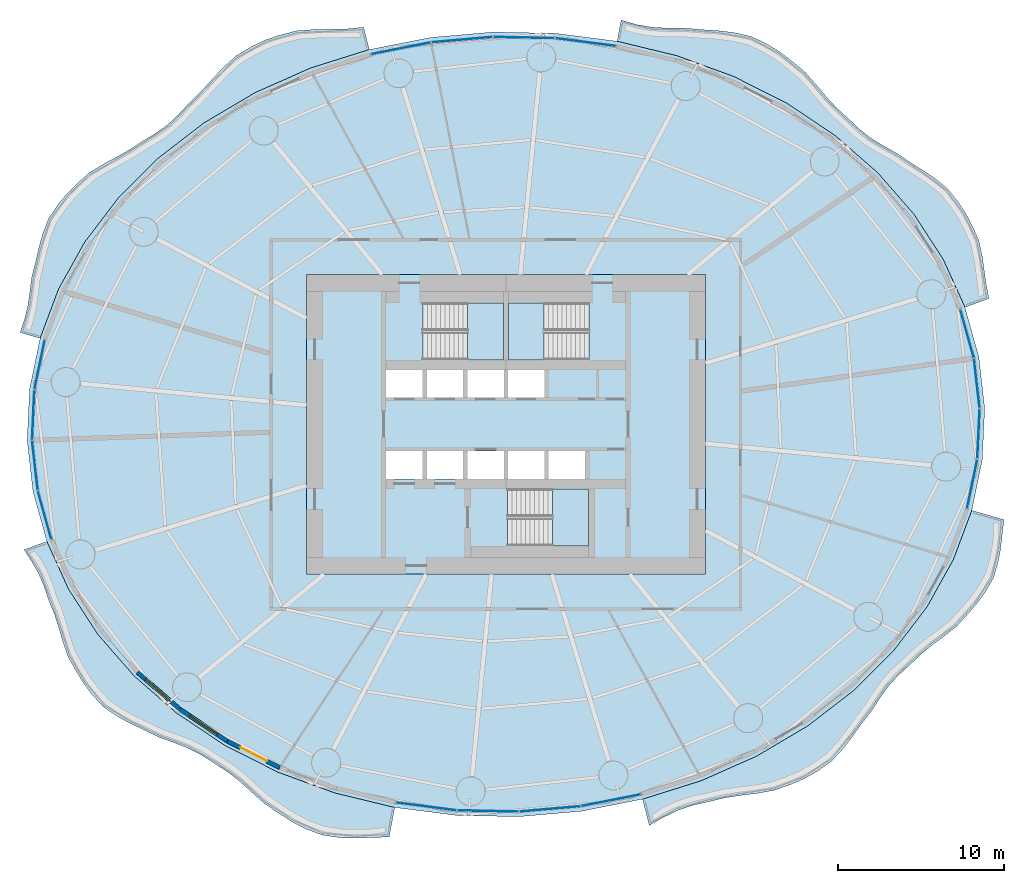
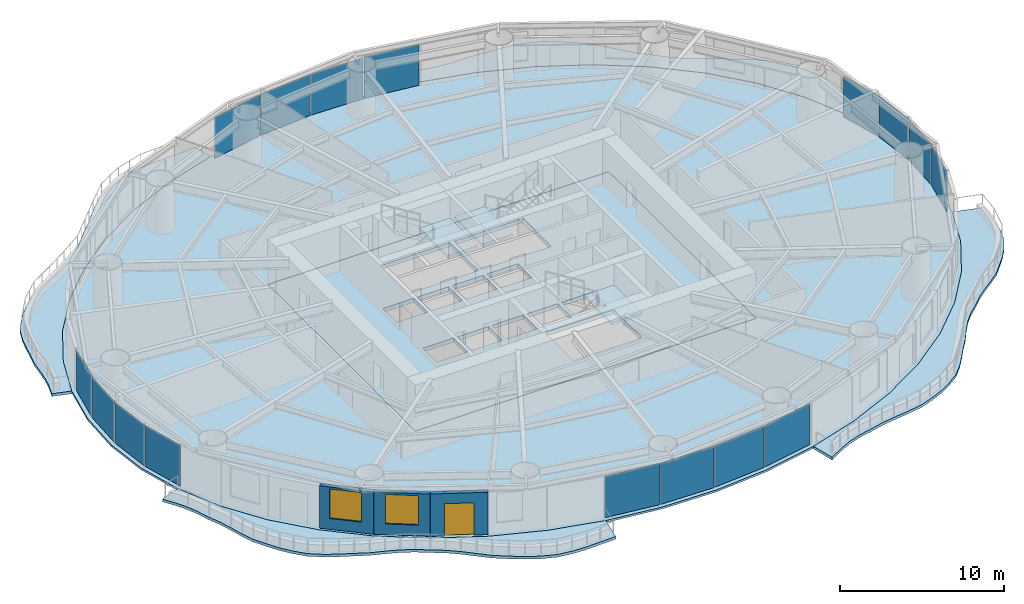
# One storey, part 7 of 16: 16 plates, 9 slabs, 3 walls, 2 windows, 1 door, 3 openings, 19 elements without a shape of their own.
"""IFC4 building model written with IfcOpenShell, lengths in metres."""

import ifcopenshell
import ifcopenshell.guid

model = None  # the IFC model being written
_history = None  # IfcOwnerHistory: only IFC2X3 demands one
_inside = {}  # id of a spatial element -> (the spatial element, [elements in it])
_under = {}  # id of a project, library or spatial element -> (it, [spatial elements below it])
_declared = {}  # id of a project -> (the project, [libraries it declares])
_typed = {}  # id of a type object -> (the type object, [elements of that type])
_made_of = {}  # id of a material, layer set ... -> (it, [elements and type objects made of it])


def new_model(schema):
    """Start an empty IFC model of exactly this schema.

    Asked for "IFC4X3", IfcOpenShell would pick the latest addendum, in which some entities
    have other attributes; the version numbers below select the first issue.
    IFC2X3 requires an IfcOwnerHistory on every rooted entity: one is made here for all.
    """
    global model, _history
    if schema == "IFC4X3":
        model = ifcopenshell.file(schema_version=(4, 3, 0, 0))
    else:
        model = ifcopenshell.file(schema=schema)
    _inside.clear()
    _under.clear()
    _declared.clear()
    _typed.clear()
    _made_of.clear()
    _history = None
    if model.schema == "IFC2X3":
        org = make("IfcOrganization", Name="unknown")
        user = make(
            "IfcPersonAndOrganization",
            ThePerson=make("IfcPerson", FamilyName="unknown"),
            TheOrganization=org,
        )
        app = make(
            "IfcApplication",
            ApplicationDeveloper=org,
            Version="unknown",
            ApplicationFullName="unknown",
            ApplicationIdentifier="unknown",
        )
        _history = make(
            "IfcOwnerHistory",
            OwningUser=user,
            OwningApplication=app,
            ChangeAction="ADDED",
            CreationDate=0,
        )
    return model


def make(cls, **values):
    """One entity of the class cls with the attributes given. An attribute that is None is left unset."""
    return model.create_entity(
        cls, **{name: value for name, value in values.items() if value is not None}
    )


def rooted(cls, **values):
    """An entity with a GlobalId (a new one), such as an element, a storey or a relation."""
    return make(cls, GlobalId=ifcopenshell.guid.new(), OwnerHistory=_history, **values)


def si_unit(unit_type, name, prefix=None):
    """IfcSIUnit, for example si_unit("LENGTHUNIT", "METRE", prefix="MILLI")."""
    return make("IfcSIUnit", UnitType=unit_type, Prefix=prefix, Name=name)


def assignment(units):
    """IfcUnitAssignment: the units of a project."""
    return None if units is None else make("IfcUnitAssignment", Units=units)


def point(xyz):
    """IfcCartesianPoint."""
    return None if xyz is None else make("IfcCartesianPoint", Coordinates=xyz)


def direction(xyz):
    """IfcDirection."""
    return None if xyz is None else make("IfcDirection", DirectionRatios=xyz)


def frame(location, z_axis=None, x_axis=None):
    """IfcAxis2Placement3D, a coordinate frame: its origin and axes. An axis left out is left unset."""
    return make(
        "IfcAxis2Placement3D",
        Location=point(location),
        Axis=direction(z_axis),
        RefDirection=direction(x_axis),
    )


def frame_2d(location, x_axis=None):
    """IfcAxis2Placement2D, a coordinate frame in the plane: its origin and x axis."""
    return make(
        "IfcAxis2Placement2D", Location=point(location), RefDirection=direction(x_axis)
    )


def origin():
    """The frame at (0, 0, 0) with its axes left unset."""
    return frame((0.0, 0.0, 0.0))


def origin_2d():
    """The frame at (0, 0) in the plane with its x axis left unset."""
    return frame_2d((0.0, 0.0))


def place(relative_to, where):
    """IfcLocalPlacement: puts the frame where relative to a parent placement (None: the world)."""
    return make(
        "IfcLocalPlacement", PlacementRelTo=relative_to, RelativePlacement=where
    )


def context(
    kind, dimensions, precision=None, world=None, true_north=None, identifier=None
):
    """IfcGeometricRepresentationContext, for example the 3D "Model" context."""
    return make(
        "IfcGeometricRepresentationContext",
        ContextIdentifier=identifier,
        ContextType=kind,
        CoordinateSpaceDimension=dimensions,
        Precision=precision,
        WorldCoordinateSystem=world,
        TrueNorth=true_north,
    )


def subcontext(parent, identifier, kind, view, scale=None):
    """IfcGeometricRepresentationSubContext, for example "Body" below "Model"."""
    return make(
        "IfcGeometricRepresentationSubContext",
        ContextIdentifier=identifier,
        ContextType=kind,
        ParentContext=parent,
        TargetScale=scale,
        TargetView=view,
    )


def project(units=None, contexts=None):
    """IfcProject with its units and contexts."""
    return rooted(
        "IfcProject",
        Name="project",
        RepresentationContexts=contexts,
        UnitsInContext=assignment(units),
    )


def spatial(cls, under=None, at=None, **own):
    """A site, building, storey or space (cls), placed at a placement, below another one or the project."""
    s = rooted(cls, ObjectPlacement=at, **own)
    if under is not None:
        _under.setdefault(under.id(), (under, []))[1].append(s)
    return s


def polyline(points):
    """IfcPolyline through the points."""
    return make("IfcPolyline", Points=[point(p) for p in points])


def profile(cls, at=None, kind="AREA", **sizes):
    """A parametric profile (cls). Its sizes go by their IFC names, for example OverallWidth=200.0."""
    return make(cls, ProfileType=kind, Position=at, **sizes)


def rectangle(**sizes):
    """IfcRectangleProfileDef."""
    return profile("IfcRectangleProfileDef", **sizes)


def outline(outer, holes=None, kind="AREA"):
    """IfcArbitraryClosedProfileDef: a profile drawn as a closed curve; with holes, ...WithVoids."""
    if holes is None:
        return make("IfcArbitraryClosedProfileDef", ProfileType=kind, OuterCurve=outer)
    return make(
        "IfcArbitraryProfileDefWithVoids",
        ProfileType=kind,
        OuterCurve=outer,
        InnerCurves=holes,
    )


def extrude(swept, where, along, depth):
    """IfcExtrudedAreaSolid: the profile swept, set in the frame where, extruded along a direction by depth."""
    return make(
        "IfcExtrudedAreaSolid",
        SweptArea=swept,
        Position=where,
        ExtrudedDirection=direction(along),
        Depth=depth,
    )


def shape(context_of_items, identifier, shape_type, items):
    """IfcShapeRepresentation: the items that make up one representation, for example the "Body"."""
    return make(
        "IfcShapeRepresentation",
        ContextOfItems=context_of_items,
        RepresentationIdentifier=identifier,
        RepresentationType=shape_type,
        Items=items,
    )


def material(Name=None, Category=None):
    """IfcMaterial."""
    return make("IfcMaterial", Name=Name, Category=Category)


def layer(
    of_material, thickness, ventilated=None, Name=None, Category=None, Priority=None
):
    """IfcMaterialLayer: one layer of a wall or slab, of a material (None: an air gap)."""
    return make(
        "IfcMaterialLayer",
        Material=of_material,
        LayerThickness=thickness,
        IsVentilated=ventilated,
        Name=Name,
        Category=Category,
        Priority=Priority,
    )


def layer_set(layers, Name=None):
    """IfcMaterialLayerSet."""
    return make("IfcMaterialLayerSet", MaterialLayers=layers, LayerSetName=Name)


def made_of(thing, what):
    """Note that an element or type object is made of a material, layer set ...; save() writes the relation."""
    if what is not None:
        _made_of.setdefault(what.id(), (what, []))[1].append(thing)
    return thing


def type_object(cls, material=None, **own):
    """A type object (cls), such as IfcWallType, which elements share."""
    return made_of(rooted(cls, **own), material)


def element(
    cls,
    number,
    at=None,
    inside=None,
    cuts=None,
    type_object=None,
    material=None,
    context=None,
    identifier="Body",
    shape_type=None,
    held_by="IfcProductDefinitionShape",
    body=None,
    shapes=None,
    **own,
):
    """One element of the class cls, such as IfcWall. Its Tag is "e" and its number.

    at: its placement. inside: the storey or other place that contains it. cuts: it is an
    opening in that element (IfcRelVoidsElement). A single representation is given by context,
    identifier, shape_type and body (its items); several are given by shapes. held_by: the class
    of the entity that holds the representations. save() writes the other relations.
    """
    e = rooted(cls, Tag="e%d" % number, ObjectPlacement=at, **own)
    if body is not None:
        shapes = [shape(context, identifier, shape_type, body)]
    if shapes is not None:
        e.Representation = make(held_by, Representations=shapes)
    if inside is not None:
        _inside.setdefault(inside.id(), (inside, []))[1].append(e)
    if cuts is not None:
        rooted(
            "IfcRelVoidsElement", RelatingBuildingElement=cuts, RelatedOpeningElement=e
        )
    if type_object is not None:
        _typed.setdefault(type_object.id(), (type_object, []))[1].append(e)
    return made_of(e, material)


def fill(opening, filler):
    """IfcRelFillsElement: the door or window that sits in an opening."""
    return rooted(
        "IfcRelFillsElement",
        RelatingOpeningElement=opening,
        RelatedBuildingElement=filler,
    )


def aggregate(whole, parts):
    """IfcRelAggregates: a whole, such as a stair, and the parts it consists of."""
    return rooted("IfcRelAggregates", RelatingObject=whole, RelatedObjects=parts)


def save(model, path):
    """Write the relations noted so far, then the file.

    IfcRelAggregates (storeys below a building ...), IfcRelContainedInSpatialStructure (elements
    in a storey), IfcRelDefinesByType, IfcRelAssociatesMaterial and IfcRelDeclares: one each for
    every whole, place, type object, material and project.
    """
    for whole, parts in _under.values():
        aggregate(whole, parts)
    for where, things in _inside.values():
        rooted(
            "IfcRelContainedInSpatialStructure",
            RelatedElements=things,
            RelatingStructure=where,
        )
    for kind, things in _typed.values():
        rooted("IfcRelDefinesByType", RelatedObjects=things, RelatingType=kind)
    for what, things in _made_of.values():
        rooted("IfcRelAssociatesMaterial", RelatedObjects=things, RelatingMaterial=what)
    for by, libraries in _declared.values():
        rooted("IfcRelDeclares", RelatingContext=by, RelatedDefinitions=libraries)
    model.write(path)


model = new_model("IFC4")

# Units and contexts
model_context = context("Model", 3, precision=1e-05, world=origin(), true_north=direction((0.0, 1.0)))
body_context = subcontext(model_context, "Body", "Model", "MODEL_VIEW")
ifc_project = project(units=[si_unit("LENGTHUNIT", "METRE"), si_unit("AREAUNIT", "SQUARE_METRE"), si_unit("VOLUMEUNIT", "CUBIC_METRE"), si_unit("PLANEANGLEUNIT", "RADIAN"), si_unit("MASSUNIT", "GRAM", prefix="KILO")], contexts=[model_context])

# Site, building, storey
site_placement = place(None, origin())
site = spatial("IfcSite", under=ifc_project, at=site_placement, CompositionType="ELEMENT")
building_placement = place(site_placement, origin())
building = spatial("IfcBuilding", under=site, at=building_placement, Name="Vermilion Reach Broadcast Tower", CompositionType="ELEMENT")
storey_placement = place(building_placement, frame((0.0, 0.0, 43.39990234375)))
storey = spatial("IfcBuildingStorey", under=building, at=storey_placement, Name="L07", CompositionType="ELEMENT", Elevation=43.39990234375)

# Slabs
ifc_material_1 = material(Name="Concrete C40/50", Category="concrete")
ifc_layer_1 = layer(ifc_material_1, 0.199951171875)
ifc_layer_set_1 = layer_set([ifc_layer_1], Name="Balcony slab 200")
slab_type_1 = type_object("IfcSlabType", Name="Balcony slab 200", PredefinedType="FLOOR", material=ifc_layer_set_1)
placement_1 = place(storey_placement, frame((0.0, 0.0, -0.199951171875)))
element("IfcSlab", 1, at=placement_1, inside=storey, type_object=slab_type_1, Name="Balcony slab L07 group 1", PredefinedType="FLOOR", context=body_context, shape_type="SweptSolid", body=[
    extrude(outline(polyline([(21.59619140625, 7.0361328125), (20.2880859375, 9.9169921875), (18.5302734375, 12.6279296875), (16.3525390625, 15.123046875), (13.79248046875, 17.359375), (10.893798828125, 19.298583984375), (7.7060546875, 20.907470703125), (4.28369140625, 22.15869140625), (0.685546875, 23.031005859375), (0.921630859375, 24.307373046875), (1.879638671875, 24.0283203125), (2.794921875, 23.87548828125), (3.734375, 23.8212890625), (4.7861328125, 23.81689453125), (5.82763671875, 23.728271484375), (6.7744140625, 23.665283203125), (7.7041015625, 23.55517578125), (8.749267578125, 23.314208984375), (9.69580078125, 22.868408203125), (10.458740234375, 22.398681640625), (11.179443359375, 21.845703125), (11.988037109375, 21.17236328125), (12.6767578125, 20.3955078125), (13.259033203125, 19.697998046875), (13.865478515625, 19.036376953125), (14.58203125, 18.3896484375), (15.2548828125, 17.74169921875), (15.927490234375, 17.219970703125), (16.658447265625, 16.764892578125), (17.51904296875, 16.288818359375), (18.3193359375, 15.740478515625), (19.05224609375, 15.281494140625), (19.76708984375, 14.806396484375), (20.560546875, 14.159912109375), (21.178466796875, 13.382568359375), (21.627685546875, 12.7109375), (22.00537109375, 11.9931640625), (22.417236328125, 11.082275390625), (22.634033203125, 10.113525390625), (22.74755859375, 9.29638671875), (22.857421875, 8.4775390625), (23.038330078125, 7.560791015625), (21.59619140625, 7.0361328125)])), origin(), (0.0, 0.0, 1.0), 0.199951171875),
])
element("IfcSlab", 2, at=placement_1, inside=storey, type_object=slab_type_1, Name="Balcony slab L07 group 2", PredefinedType="FLOOR", context=body_context, shape_type="SweptSolid", body=[
    extrude(outline(polyline([(-14.212890625, 22.531494140625), (-17.74462890625, 21.42041015625), (-21.075439453125, 19.942626953125), (-24.1484375, 18.123779296875), (-26.91064453125, 15.994873046875), (-29.315185546875, 13.592041015625), (-31.32080078125, 10.956787109375), (-32.893310546875, 8.134033203125), (-34.00537109375, 5.17236328125), (-35.21142578125, 5.521484375), (-34.922119140625, 6.361328125), (-34.741455078125, 7.138427734375), (-34.62353515625, 7.93896484375), (-34.50341796875, 8.8798828125), (-34.259521484375, 9.81982421875), (-34.0732421875, 10.640869140625), (-33.854736328125, 11.443603515625), (-33.492431640625, 12.377685546875), (-32.92724609375, 13.2197265625), (-32.40185546875, 13.8603515625), (-31.8076171875, 14.44873046875), (-31.06201171875, 15.118408203125), (-30.179443359375, 15.6591796875), (-29.39599609375, 16.077392578125), (-28.625244140625, 16.508544921875), (-27.82763671875, 17.03857421875), (-26.9970703125, 17.534912109375), (-26.2958984375, 18.0537109375), (-25.655517578125, 18.651123046875), (-24.99560546875, 19.3740234375), (-24.269775390625, 20.08154296875), (-23.638916015625, 20.768310546875), (-23.0029296875, 21.446533203125), (-22.217041015625, 22.15673828125), (-21.3046875, 22.705810546875), (-20.4833984375, 23.100830078125), (-19.617919921875, 23.396240234375), (-18.59033203125, 23.65869140625), (-17.50390625, 23.739013671875), (-16.536865234375, 23.74951171875), (-15.57421875, 23.774169921875), (-14.55615234375, 23.876220703125), (-14.212890625, 22.531494140625)])), origin(), (0.0, 0.0, 1.0), 0.199951171875),
])
element("IfcSlab", 3, at=placement_1, inside=storey, type_object=slab_type_1, Name="Balcony slab L07 group 3", PredefinedType="FLOOR", context=body_context, shape_type="SweptSolid", body=[
    extrude(outline(polyline([(-33.59619140625, -7.0361328125), (-32.2880859375, -9.9169921875), (-30.5302734375, -12.6279296875), (-28.3525390625, -15.123046875), (-25.79248046875, -17.359375), (-22.893798828125, -19.298583984375), (-19.7060546875, -20.907470703125), (-16.28369140625, -22.15869140625), (-12.685546875, -23.031005859375), (-13.01416015625, -24.80712890625), (-14.076171875, -24.838623046875), (-15.03662109375, -24.87255859375), (-15.982421875, -24.8447265625), (-17.050537109375, -24.689697265625), (-18.04296875, -24.3173828125), (-18.85888671875, -23.896240234375), (-19.64453125, -23.392333984375), (-20.523681640625, -22.7939453125), (-21.305908203125, -22.095947265625), (-21.9921875, -21.474609375), (-22.70654296875, -20.908447265625), (-23.52978515625, -20.3876953125), (-24.322998046875, -19.86669921875), (-25.1064453125, -19.469970703125), (-25.935791015625, -19.1416015625), (-26.892578125, -18.794921875), (-27.789794921875, -18.35400390625), (-28.58935546875, -17.9775390625), (-29.357177734375, -17.56494140625), (-30.20947265625, -16.979248046875), (-30.892333984375, -16.24072265625), (-31.390869140625, -15.576904296875), (-31.8271484375, -14.85888671875), (-32.3203125, -13.978759765625), (-32.646728515625, -13.03759765625), (-32.88134765625, -12.22705078125), (-33.13623046875, -11.4296875), (-33.489501953125, -10.574462890625), (-33.771240234375, -9.7216796875), (-34.083984375, -8.9951171875), (-34.471435546875, -8.30224609375), (-34.973388671875, -7.537109375), (-33.59619140625, -7.0361328125)])), origin(), (0.0, 0.0, 1.0), 0.199951171875),
])
element("IfcSlab", 4, at=placement_1, inside=storey, type_object=slab_type_1, Name="Balcony slab L07 group 4", PredefinedType="FLOOR", context=body_context, shape_type="SweptSolid", body=[
    extrude(outline(polyline([(2.212890625, -22.531494140625), (5.74462890625, -21.42041015625), (9.075439453125, -19.942626953125), (12.1484375, -18.123779296875), (14.91064453125, -15.994873046875), (17.315185546875, -13.592041015625), (19.32080078125, -10.956787109375), (20.893310546875, -8.134033203125), (22.00537109375, -5.17236328125), (23.9404296875, -5.732666015625), (23.8251953125, -6.700439453125), (23.73291015625, -7.5107421875), (23.58642578125, -8.300537109375), (23.301025390625, -9.249267578125), (22.796875, -10.119140625), (22.31591796875, -10.77587890625), (21.77294921875, -11.398193359375), (21.112060546875, -12.12890625), (20.319091796875, -12.757080078125), (19.625, -13.269287109375), (18.962646484375, -13.805419921875), (18.299072265625, -14.451904296875), (17.59765625, -15.0771484375), (17.026123046875, -15.707275390625), (16.517822265625, -16.40087890625), (15.986083984375, -17.21875), (15.367431640625, -18.015869140625), (14.837890625, -18.7568359375), (14.291259765625, -19.47607421875), (13.583740234375, -20.241943359375), (12.726318359375, -20.85302734375), (11.95068359375, -21.295166015625), (11.123291015625, -21.649658203125), (10.136474609375, -22.0009765625), (9.07470703125, -22.187255859375), (8.130126953125, -22.304443359375), (7.196533203125, -22.446533203125), (6.22021484375, -22.679443359375), (5.23828125, -22.895263671875), (4.3623046875, -23.195068359375), (3.518798828125, -23.597900390625), (2.615966796875, -24.110595703125), (2.212890625, -22.531494140625)])), origin(), (0.0, 0.0, 1.0), 0.199951171875),
])
ifc_material_2 = material(Name="Concrete C40", Category="concrete")
ifc_layer_2 = layer(ifc_material_2, 0.300048828125)
ifc_layer_set_2 = layer_set([ifc_layer_2], Name="Core floor slab 300 mm Concrete C40")
slab_type_2 = type_object("IfcSlabType", Name="Core floor slab 300 mm Concrete C40", PredefinedType="FLOOR", material=ifc_layer_set_2)
slab_5_placement = place(storey_placement, frame((0.0, 0.0, -0.2998046875)))
element("IfcSlab", 5, at=slab_5_placement, inside=storey, type_object=slab_type_2, Name="L07 core floor", PredefinedType="FLOOR", context=body_context, shape_type="SweptSolid", body=[
    extrude(outline(polyline([(-18.0, -9.0), (6.0, -9.0), (6.0, 9.0), (-18.0, 9.0), (-18.0, -9.0)]), holes=[polyline([(-13.199951171875, 1.60009765625), (-11.00830078125, 1.60009765625), (-11.00830078125, 3.280029296875), (-13.199951171875, 3.280029296875), (-13.199951171875, 1.60009765625)]), polyline([(-10.75830078125, 1.60009765625), (-8.566650390625, 1.60009765625), (-8.566650390625, 3.280029296875), (-10.75830078125, 3.280029296875), (-10.75830078125, 1.60009765625)]), polyline([(-8.316650390625, 1.60009765625), (-6.125, 1.60009765625), (-6.125, 3.280029296875), (-8.316650390625, 3.280029296875), (-8.316650390625, 1.60009765625)]), polyline([(-5.875, 1.60009765625), (-3.683349609375, 1.60009765625), (-3.683349609375, 3.280029296875), (-5.875, 3.280029296875), (-5.875, 1.60009765625)]), polyline([(-13.199951171875, -3.280029296875), (-11.00830078125, -3.280029296875), (-11.00830078125, -1.60009765625), (-13.199951171875, -1.60009765625), (-13.199951171875, -3.280029296875)]), polyline([(-10.75830078125, -3.280029296875), (-8.566650390625, -3.280029296875), (-8.566650390625, -1.60009765625), (-10.75830078125, -1.60009765625), (-10.75830078125, -3.280029296875)]), polyline([(-8.316650390625, -3.280029296875), (-6.125, -3.280029296875), (-6.125, -1.60009765625), (-8.316650390625, -1.60009765625), (-8.316650390625, -3.280029296875)]), polyline([(-5.875, -3.280029296875), (-3.683349609375, -3.280029296875), (-3.683349609375, -1.60009765625), (-5.875, -1.60009765625), (-5.875, -3.280029296875)]), polyline([(-3.433349609375, -3.280029296875), (-1.24169921875, -3.280029296875), (-1.24169921875, -1.60009765625), (-3.433349609375, -1.60009765625), (-3.433349609375, -3.280029296875)]), polyline([(-10.999267578125, 3.8798828125), (-6.14990234375, 3.8798828125), (-6.14990234375, 7.300048828125), (-10.999267578125, 7.300048828125), (-10.999267578125, 3.8798828125)]), polyline([(-1.000732421875, 7.300048828125), (-5.85009765625, 7.300048828125), (-5.85009765625, 3.8798828125), (-1.000732421875, 3.8798828125), (-1.000732421875, 7.300048828125)]), polyline([(-5.8994140625, -7.300048828125), (-1.050048828125, -7.300048828125), (-1.050048828125, -3.8798828125), (-5.8994140625, -3.8798828125), (-5.8994140625, -7.300048828125)])]), origin(), (0.0, 0.0, 1.0), 0.2998046875),
])

# Stair, slab
ifc_material_3 = material(Name="Concrete C40", Category="concrete")
stair_type = type_object("IfcStairType", Name="Exit stair RC 22 risers 168 mm", PredefinedType="HALF_TURN_STAIR", material=ifc_material_3)
placement_2 = place(storey_placement, origin())
stair_1 = element("IfcStair", 6, at=placement_2, inside=storey, type_object=stair_type, Name="L07 Exit stair ST1", PredefinedType="HALF_TURN_STAIR")
ifc_material_4 = material(Name="Concrete C40", Category="concrete")
ifc_layer_3 = layer(ifc_material_4, 0.199951171875)
ifc_layer_set_3 = layer_set([ifc_layer_3], Name="Exit stair landing Concrete C40")
slab_type_3 = type_object("IfcSlabType", Name="Exit stair landing Concrete C40", PredefinedType="LANDING", material=ifc_layer_set_3)
placement_3 = place(storey_placement, frame((0.0, 0.0, 1.650146484375)))
slab_6 = element("IfcSlab", 7, at=placement_3, type_object=slab_type_3, Name="ST1 landing 1", PredefinedType="LANDING", context=body_context, shape_type="SweptSolid", body=[
    extrude(outline(polyline([(-8.300048828125, 3.8798828125), (-6.14990234375, 3.8798828125), (-6.14990234375, 7.300048828125), (-8.300048828125, 7.300048828125), (-8.300048828125, 3.8798828125)])), origin(), (0.0, 0.0, 1.0), 0.199951171875),
])
aggregate(stair_1, [slab_6])

stair_2 = element("IfcStair", 8, at=placement_2, inside=storey, type_object=stair_type, Name="L07 Exit stair ST2", PredefinedType="HALF_TURN_STAIR")
slab_7 = element("IfcSlab", 9, at=placement_3, type_object=slab_type_3, Name="ST2 landing 1", PredefinedType="LANDING", context=body_context, shape_type="SweptSolid", body=[
    extrude(outline(polyline([(-3.699951171875, 7.300048828125), (-5.85009765625, 7.300048828125), (-5.85009765625, 3.8798828125), (-3.699951171875, 3.8798828125), (-3.699951171875, 7.300048828125)])), origin(), (0.0, 0.0, 1.0), 0.199951171875),
])
aggregate(stair_2, [slab_7])

stair_3 = element("IfcStair", 10, at=placement_2, inside=storey, type_object=stair_type, Name="L07 Exit stair ST3", PredefinedType="HALF_TURN_STAIR")
slab_8 = element("IfcSlab", 11, at=placement_3, type_object=slab_type_3, Name="ST3 landing 1", PredefinedType="LANDING", context=body_context, shape_type="SweptSolid", body=[
    extrude(outline(polyline([(-3.199951171875, -7.300048828125), (-1.050048828125, -7.300048828125), (-1.050048828125, -3.8798828125), (-3.199951171875, -3.8798828125), (-3.199951171875, -7.300048828125)])), origin(), (0.0, 0.0, 1.0), 0.199951171875),
])
aggregate(stair_3, [slab_8])

# Slab
ifc_material_5 = material(Name="Concrete C40", Category="concrete")
ifc_layer_4 = layer(ifc_material_5, 0.14990234375)
ifc_layer_set_4 = layer_set([ifc_layer_4], Name="Floor slab Concrete C40 composite 150")
slab_type_4 = type_object("IfcSlabType", Name="Floor slab Concrete C40 composite 150", PredefinedType="FLOOR", material=ifc_layer_set_4)
slab_9_placement = place(storey_placement, frame((0.0, 0.0, -0.14990234375)))
element("IfcSlab", 12, at=slab_9_placement, inside=storey, type_object=slab_type_4, Name="Floor slab L07", PredefinedType="FLOOR", context=body_context, shape_type="SweptSolid", body=[
    extrude(outline(polyline([(22.781494140625, 0.96484375), (22.43212890625, 4.034912109375), (21.59619140625, 7.0361328125), (20.2880859375, 9.9169921875), (18.5302734375, 12.6279296875), (16.3525390625, 15.123046875), (13.79248046875, 17.359375), (10.893798828125, 19.298583984375), (7.7060546875, 20.907470703125), (4.28369140625, 22.15869140625), (0.685546875, 23.031005859375), (-3.027099609375, 23.509033203125), (-6.79052734375, 23.5849609375), (-10.54052734375, 23.257080078125), (-14.212890625, 22.531494140625), (-17.74462890625, 21.42041015625), (-21.075439453125, 19.942626953125), (-24.1484375, 18.123779296875), (-26.91064453125, 15.994873046875), (-29.315185546875, 13.592041015625), (-31.32080078125, 10.956787109375), (-32.893310546875, 8.134033203125), (-34.00537109375, 5.17236328125), (-34.638427734375, 2.121826171875), (-34.781494140625, -0.96484375), (-34.43212890625, -4.034912109375), (-33.59619140625, -7.0361328125), (-32.2880859375, -9.9169921875), (-30.5302734375, -12.6279296875), (-28.3525390625, -15.123046875), (-25.79248046875, -17.359375), (-22.893798828125, -19.298583984375), (-19.7060546875, -20.907470703125), (-16.28369140625, -22.15869140625), (-12.685546875, -23.031005859375), (-8.972900390625, -23.509033203125), (-5.20947265625, -23.5849609375), (-1.45947265625, -23.257080078125), (2.212890625, -22.531494140625), (5.74462890625, -21.42041015625), (9.075439453125, -19.942626953125), (12.1484375, -18.123779296875), (14.91064453125, -15.994873046875), (17.315185546875, -13.592041015625), (19.32080078125, -10.956787109375), (20.893310546875, -8.134033203125), (22.00537109375, -5.17236328125), (22.638427734375, -2.121826171875), (22.781494140625, 0.96484375)]), holes=[polyline([(-18.0, -9.0), (6.0, -9.0), (6.0, 9.0), (-18.0, 9.0), (-18.0, -9.0)])]), origin(), (0.0, 0.0, 1.0), 0.14990234375),
])

# Curtain wall, plate
ifc_material_6 = material(Name="Low-e laminated clear glass in aluminium frame", Category="aluminium")
curtain_wall_type = type_object("IfcCurtainWallType", Name="Slot curtain wall", PredefinedType="NOTDEFINED", material=ifc_material_6)
curtain_wall_1 = element("IfcCurtainWall", 13, at=placement_2, inside=storey, type_object=curtain_wall_type, Name="Slot curtain wall L07 46", PredefinedType="NOTDEFINED")
ifc_material_7 = material(Name="Low-e laminated clear glass", Category="glass")
ifc_layer_5 = layer(ifc_material_7, 0.028076171875)
ifc_layer_set_5 = layer_set([ifc_layer_5], Name="Slot glass panel")
plate_type = type_object("IfcPlateType", Name="Slot glass panel", PredefinedType="CURTAIN_PANEL", material=ifc_layer_set_5)
plate_1_placement = place(storey_placement, frame((22.029052734375, -3.58642578125, 0.0), z_axis=(0.0, 0.0, 1.0), x_axis=(0.203206246435, 0.97913595655, 0.0)))
plate_1 = element("IfcPlate", 14, at=plate_1_placement, type_object=plate_type, Name="Slot glass panel L07 46", PredefinedType="CURTAIN_PANEL", context=body_context, shape_type="SweptSolid", body=[
    extrude(rectangle(XDim=2.988525390625, YDim=0.028076171875, at=origin_2d()), origin(), (0.0, 0.0, 1.0), 3.050048828125),
])
aggregate(curtain_wall_1, [plate_1])

curtain_wall_2 = element("IfcCurtainWall", 15, at=placement_2, inside=storey, type_object=curtain_wall_type, Name="Slot curtain wall L07 47", PredefinedType="NOTDEFINED")
plate_2_placement = place(storey_placement, frame((22.411376953125, -0.564697265625, 0.0), z_axis=(0.0, 0.0, 1.0), x_axis=(0.046291101952, 0.99892799234, 0.0)))
plate_2 = element("IfcPlate", 16, at=plate_2_placement, type_object=plate_type, Name="Slot glass panel L07 47", PredefinedType="CURTAIN_PANEL", context=body_context, shape_type="SweptSolid", body=[
    extrude(rectangle(XDim=2.962158203125, YDim=0.028076171875, at=origin_2d()), origin(), (0.0, 0.0, 1.0), 3.050048828125),
])
aggregate(curtain_wall_2, [plate_2])

curtain_wall_3 = element("IfcCurtainWall", 17, at=placement_2, inside=storey, type_object=curtain_wall_type, Name="Slot curtain wall L07 00", PredefinedType="NOTDEFINED")
plate_3_placement = place(storey_placement, frame((22.3095703125, 2.466064453125, 0.0), z_axis=(0.0, 0.0, 1.0), x_axis=(-0.113085645258, 0.99358524387, 0.0)))
plate_3 = element("IfcPlate", 18, at=plate_3_placement, type_object=plate_type, Name="Slot glass panel L07 00", PredefinedType="CURTAIN_PANEL", context=body_context, shape_type="SweptSolid", body=[
    extrude(rectangle(XDim=2.962158203125, YDim=0.028076171875, at=origin_2d()), origin(), (0.0, 0.0, 1.0), 3.050048828125),
])
aggregate(curtain_wall_3, [plate_3])

curtain_wall_4 = element("IfcCurtainWall", 19, at=placement_2, inside=storey, type_object=curtain_wall_type, Name="Slot curtain wall L07 01", PredefinedType="NOTDEFINED")
plate_4_placement = place(storey_placement, frame((21.72607421875, 5.45556640625, 0.0), z_axis=(0.0, 0.0, 1.0), x_axis=(-0.268323522351, 0.963328857324, 0.0)))
plate_4 = element("IfcPlate", 20, at=plate_4_placement, type_object=plate_type, Name="Slot glass panel L07 01", PredefinedType="CURTAIN_PANEL", context=body_context, shape_type="SweptSolid", body=[
    extrude(rectangle(XDim=2.988525390625, YDim=0.028076171875, at=origin_2d()), origin(), (0.0, 0.0, 1.0), 3.050048828125),
])
aggregate(curtain_wall_4, [plate_4])

curtain_wall_5 = element("IfcCurtainWall", 21, at=placement_2, inside=storey, type_object=curtain_wall_type, Name="Slot curtain wall L07 10", PredefinedType="NOTDEFINED")
plate_5_placement = place(storey_placement, frame((-1.209228515625, 22.972900390625, 0.0), z_axis=(0.0, 0.0, 1.0), x_axis=(-0.991810985348, 0.127714405386, 0.0)))
plate_5 = element("IfcPlate", 22, at=plate_5_placement, type_object=plate_type, Name="Slot glass panel L07 10", PredefinedType="CURTAIN_PANEL", context=body_context, shape_type="SweptSolid", body=[
    extrude(rectangle(XDim=3.630615234375, YDim=0.028076171875, at=origin_2d()), origin(), (0.0, 0.0, 1.0), 3.050048828125),
])
aggregate(curtain_wall_5, [plate_5])

curtain_wall_6 = element("IfcCurtainWall", 23, at=placement_2, inside=storey, type_object=curtain_wall_type, Name="Slot curtain wall L07 11", PredefinedType="NOTDEFINED")
plate_6_placement = place(storey_placement, frame((-4.9150390625, 23.24755859375, 0.0), z_axis=(0.0, 0.0, 1.0), x_axis=(-0.999797058501, 0.020145515944, 0.0)))
plate_6 = element("IfcPlate", 24, at=plate_6_placement, type_object=plate_type, Name="Slot glass panel L07 11", PredefinedType="CURTAIN_PANEL", context=body_context, shape_type="SweptSolid", body=[
    extrude(rectangle(XDim=3.652099609375, YDim=0.028076171875, at=origin_2d()), origin(), (0.0, 0.0, 1.0), 3.050048828125),
])
aggregate(curtain_wall_6, [plate_6])

curtain_wall_7 = element("IfcCurtainWall", 25, at=placement_2, inside=storey, type_object=curtain_wall_type, Name="Slot curtain wall L07 12", PredefinedType="NOTDEFINED")
plate_7_placement = place(storey_placement, frame((-8.639404296875, 23.12255859375, 0.0), z_axis=(0.0, 0.0, 1.0), x_axis=(-0.996203326414, -0.087057064279, 0.0)))
plate_7 = element("IfcPlate", 26, at=plate_7_placement, type_object=plate_type, Name="Slot glass panel L07 12", PredefinedType="CURTAIN_PANEL", context=body_context, shape_type="SweptSolid", body=[
    extrude(rectangle(XDim=3.652099609375, YDim=0.028076171875, at=origin_2d()), origin(), (0.0, 0.0, 1.0), 3.050048828125),
])
aggregate(curtain_wall_7, [plate_7])

curtain_wall_8 = element("IfcCurtainWall", 27, at=placement_2, inside=storey, type_object=curtain_wall_type, Name="Slot curtain wall L07 13", PredefinedType="NOTDEFINED")
plate_8_placement = place(storey_placement, frame((-12.318603515625, 22.6005859375, 0.0), z_axis=(0.0, 0.0, 1.0), x_axis=(-0.981031185387, -0.193849976268, 0.0)))
plate_8 = element("IfcPlate", 28, at=plate_8_placement, type_object=plate_type, Name="Slot glass panel L07 13", PredefinedType="CURTAIN_PANEL", context=body_context, shape_type="SweptSolid", body=[
    extrude(rectangle(XDim=3.630615234375, YDim=0.028076171875, at=origin_2d()), origin(), (0.0, 0.0, 1.0), 3.050048828125),
])
aggregate(curtain_wall_8, [plate_8])

curtain_wall_9 = element("IfcCurtainWall", 29, at=placement_2, inside=storey, type_object=curtain_wall_type, Name="Slot curtain wall L07 22", PredefinedType="NOTDEFINED")
plate_9_placement = place(storey_placement, frame((-34.029052734375, 3.58642578125, 0.0), z_axis=(0.0, 0.0, 1.0), x_axis=(-0.203206246435, -0.97913595655, 0.0)))
plate_9 = element("IfcPlate", 30, at=plate_9_placement, type_object=plate_type, Name="Slot glass panel L07 22", PredefinedType="CURTAIN_PANEL", context=body_context, shape_type="SweptSolid", body=[
    extrude(rectangle(XDim=2.988525390625, YDim=0.028076171875, at=origin_2d()), origin(), (0.0, 0.0, 1.0), 3.050048828125),
])
aggregate(curtain_wall_9, [plate_9])

curtain_wall_10 = element("IfcCurtainWall", 31, at=placement_2, inside=storey, type_object=curtain_wall_type, Name="Slot curtain wall L07 23", PredefinedType="NOTDEFINED")
plate_10_placement = place(storey_placement, frame((-34.411376953125, 0.564697265625, 0.0), z_axis=(0.0, 0.0, 1.0), x_axis=(-0.046291101952, -0.99892799234, 0.0)))
plate_10 = element("IfcPlate", 32, at=plate_10_placement, type_object=plate_type, Name="Slot glass panel L07 23", PredefinedType="CURTAIN_PANEL", context=body_context, shape_type="SweptSolid", body=[
    extrude(rectangle(XDim=2.962158203125, YDim=0.028076171875, at=origin_2d()), origin(), (0.0, 0.0, 1.0), 3.050048828125),
])
aggregate(curtain_wall_10, [plate_10])

curtain_wall_11 = element("IfcCurtainWall", 33, at=placement_2, inside=storey, type_object=curtain_wall_type, Name="Slot curtain wall L07 24", PredefinedType="NOTDEFINED")
plate_11_placement = place(storey_placement, frame((-34.3095703125, -2.466064453125, 0.0), z_axis=(0.0, 0.0, 1.0), x_axis=(0.113085645258, -0.99358524387, 0.0)))
plate_11 = element("IfcPlate", 34, at=plate_11_placement, type_object=plate_type, Name="Slot glass panel L07 24", PredefinedType="CURTAIN_PANEL", context=body_context, shape_type="SweptSolid", body=[
    extrude(rectangle(XDim=2.962158203125, YDim=0.028076171875, at=origin_2d()), origin(), (0.0, 0.0, 1.0), 3.050048828125),
])
aggregate(curtain_wall_11, [plate_11])

curtain_wall_12 = element("IfcCurtainWall", 35, at=placement_2, inside=storey, type_object=curtain_wall_type, Name="Slot curtain wall L07 25", PredefinedType="NOTDEFINED")
plate_12_placement = place(storey_placement, frame((-33.72607421875, -5.45556640625, 0.0), z_axis=(0.0, 0.0, 1.0), x_axis=(0.268323522351, -0.963328857324, 0.0)))
plate_12 = element("IfcPlate", 36, at=plate_12_placement, type_object=plate_type, Name="Slot glass panel L07 25", PredefinedType="CURTAIN_PANEL", context=body_context, shape_type="SweptSolid", body=[
    extrude(rectangle(XDim=2.988525390625, YDim=0.028076171875, at=origin_2d()), origin(), (0.0, 0.0, 1.0), 3.050048828125),
])
aggregate(curtain_wall_12, [plate_12])

curtain_wall_13 = element("IfcCurtainWall", 37, at=placement_2, inside=storey, type_object=curtain_wall_type, Name="Slot curtain wall L07 34", PredefinedType="NOTDEFINED")
plate_13_placement = place(storey_placement, frame((-10.790771484375, -22.972900390625, 0.0), z_axis=(0.0, 0.0, 1.0), x_axis=(0.991810985348, -0.127714405386, 0.0)))
plate_13 = element("IfcPlate", 38, at=plate_13_placement, type_object=plate_type, Name="Slot glass panel L07 34", PredefinedType="CURTAIN_PANEL", context=body_context, shape_type="SweptSolid", body=[
    extrude(rectangle(XDim=3.630615234375, YDim=0.028076171875, at=origin_2d()), origin(), (0.0, 0.0, 1.0), 3.050048828125),
])
aggregate(curtain_wall_13, [plate_13])

curtain_wall_14 = element("IfcCurtainWall", 39, at=placement_2, inside=storey, type_object=curtain_wall_type, Name="Slot curtain wall L07 35", PredefinedType="NOTDEFINED")
plate_14_placement = place(storey_placement, frame((-7.0849609375, -23.24755859375, 0.0), z_axis=(0.0, 0.0, 1.0), x_axis=(0.999797058501, -0.020145515944, 0.0)))
plate_14 = element("IfcPlate", 40, at=plate_14_placement, type_object=plate_type, Name="Slot glass panel L07 35", PredefinedType="CURTAIN_PANEL", context=body_context, shape_type="SweptSolid", body=[
    extrude(rectangle(XDim=3.652099609375, YDim=0.028076171875, at=origin_2d()), origin(), (0.0, 0.0, 1.0), 3.050048828125),
])
aggregate(curtain_wall_14, [plate_14])

curtain_wall_15 = element("IfcCurtainWall", 41, at=placement_2, inside=storey, type_object=curtain_wall_type, Name="Slot curtain wall L07 36", PredefinedType="NOTDEFINED")
plate_15_placement = place(storey_placement, frame((-3.360595703125, -23.12255859375, 0.0), z_axis=(0.0, 0.0, 1.0), x_axis=(0.996203326414, 0.087057064279, 0.0)))
plate_15 = element("IfcPlate", 42, at=plate_15_placement, type_object=plate_type, Name="Slot glass panel L07 36", PredefinedType="CURTAIN_PANEL", context=body_context, shape_type="SweptSolid", body=[
    extrude(rectangle(XDim=3.652099609375, YDim=0.028076171875, at=origin_2d()), origin(), (0.0, 0.0, 1.0), 3.050048828125),
])
aggregate(curtain_wall_15, [plate_15])

curtain_wall_16 = element("IfcCurtainWall", 43, at=placement_2, inside=storey, type_object=curtain_wall_type, Name="Slot curtain wall L07 37", PredefinedType="NOTDEFINED")
plate_16_placement = place(storey_placement, frame((0.318603515625, -22.6005859375, 0.0), z_axis=(0.0, 0.0, 1.0), x_axis=(0.981031185387, 0.193849976268, 0.0)))
plate_16 = element("IfcPlate", 44, at=plate_16_placement, type_object=plate_type, Name="Slot glass panel L07 37", PredefinedType="CURTAIN_PANEL", context=body_context, shape_type="SweptSolid", body=[
    extrude(rectangle(XDim=3.630615234375, YDim=0.028076171875, at=origin_2d()), origin(), (0.0, 0.0, 1.0), 3.050048828125),
])
aggregate(curtain_wall_16, [plate_16])

# Wall, opening, window
ifc_material_8 = material(Name="Terracotta rainscreen cladding", Category="masonry")
ifc_layer_6 = layer(ifc_material_8, 0.25)
ifc_layer_set_6 = layer_set([ifc_layer_6], Name="Terracotta rainscreen wall 250")
wall_type = type_object("IfcWallType", Name="Terracotta rainscreen wall 250", PredefinedType="SOLIDWALL", material=ifc_layer_set_6)
wall_1_placement = place(storey_placement, frame((-28.13134765625, -14.9189453125, 0.0), z_axis=(0.0, 0.0, 1.0), x_axis=(0.753152288186, -0.657846206039, 0.0)))
wall_1 = element("IfcWall", 45, at=wall_1_placement, inside=storey, type_object=wall_type, Name="External wall L07 29", PredefinedType="SOLIDWALL", context=body_context, shape_type="SweptSolid", body=[
    extrude(rectangle(XDim=3.335205078125, YDim=0.25, at=frame_2d((1.66748046875, 0.0))), origin(), (0.0, 0.0, 1.0), 3.150146484375),
])
opening_1_placement = place(wall_1_placement, frame((0.617919921875, 0.0, 0.800048828125)))
opening_1 = element("IfcOpeningElement", 46, at=opening_1_placement, cuts=wall_1, Name="Opening W01", PredefinedType="OPENING", context=body_context, shape_type="SweptSolid", body=[
    extrude(rectangle(XDim=2.0, YDim=2.199951171875, at=frame_2d((1.0, 1.10009765625))), frame((0.0, 0.135009765625, 0.0), z_axis=(0.0, -1.0, 0.0), x_axis=(1.0, 0.0, 0.0)), (0.0, 0.0, 1.0), 0.27001953125),
])
ifc_material_9 = material(Name="Low-e laminated clear glass in aluminium frame", Category="aluminium")
window_type = type_object("IfcWindowType", Name="Punched window 2000 x 2200 sill 800", PartitioningType="SINGLE_PANEL", PredefinedType="WINDOW", material=ifc_material_9)
window_1_placement = place(opening_1_placement, origin())
window_1 = element("IfcWindow", 47, at=window_1_placement, inside=storey, type_object=window_type, Name="Window L07 29", OverallHeight=2.199951171875, OverallWidth=2.0, PartitioningType="SINGLE_PANEL", PredefinedType="WINDOW", context=body_context, shape_type="SweptSolid", body=[
    extrude(rectangle(XDim=2.0, YDim=2.199951171875, at=frame_2d((1.0, 1.10009765625))), frame((0.0, 0.030029296875, 0.0), z_axis=(0.0, -1.0, 0.0), x_axis=(1.0, 0.0, 0.0)), (0.0, 0.0, 1.0), 0.06005859375),
])
fill(opening_1, window_1)

wall_2_placement = place(storey_placement, frame((-25.600341796875, -17.127685546875, 0.0), z_axis=(0.0, 0.0, 1.0), x_axis=(0.831183264566, -0.555998543798, 0.0)))
wall_2 = element("IfcWall", 48, at=wall_2_placement, inside=storey, type_object=wall_type, Name="External wall L07 30", PredefinedType="SOLIDWALL", context=body_context, shape_type="SweptSolid", body=[
    extrude(rectangle(XDim=3.42626953125, YDim=0.25, at=frame_2d((1.713134765625, 0.0))), origin(), (0.0, 0.0, 1.0), 3.150146484375),
])
opening_2_placement = place(wall_2_placement, frame((0.713134765625, 0.0, 0.800048828125)))
opening_2 = element("IfcOpeningElement", 49, at=opening_2_placement, cuts=wall_2, Name="Opening W01", PredefinedType="OPENING", context=body_context, shape_type="SweptSolid", body=[
    extrude(rectangle(XDim=2.0, YDim=2.199951171875, at=frame_2d((1.0, 1.10009765625))), frame((0.0, 0.135009765625, 0.0), z_axis=(0.0, -1.0, 0.0), x_axis=(1.0, 0.0, 0.0)), (0.0, 0.0, 1.0), 0.27001953125),
])
window_2_placement = place(opening_2_placement, origin())
window_2 = element("IfcWindow", 50, at=window_2_placement, inside=storey, type_object=window_type, Name="Window L07 30", OverallHeight=2.199951171875, OverallWidth=2.0, PartitioningType="SINGLE_PANEL", PredefinedType="WINDOW", context=body_context, shape_type="SweptSolid", body=[
    extrude(rectangle(XDim=2.0, YDim=2.199951171875, at=frame_2d((1.0, 1.10009765625))), frame((0.0, 0.030029296875, 0.0), z_axis=(0.0, -1.0, 0.0), x_axis=(1.0, 0.0, 0.0)), (0.0, 0.0, 1.0), 0.06005859375),
])
fill(opening_2, window_2)

# Wall, opening, door
wall_3_placement = place(storey_placement, frame((-22.732421875, -19.044677734375, 0.0), z_axis=(0.0, 0.0, 1.0), x_axis=(0.892738680503, -0.450574797712, 0.0)))
wall_3 = element("IfcWall", 51, at=wall_3_placement, inside=storey, type_object=wall_type, Name="External wall L07 31", PredefinedType="SOLIDWALL", context=body_context, shape_type="SweptSolid", body=[
    extrude(rectangle(XDim=3.51220703125, YDim=0.25, at=frame_2d((1.756103515625, 0.0))), origin(), (0.0, 0.0, 1.0), 3.150146484375),
])
opening_3_placement = place(wall_3_placement, frame((0.85595703125, 0.0, 0.0)))
opening_3 = element("IfcOpeningElement", 52, at=opening_3_placement, cuts=wall_3, Name="Opening D70", PredefinedType="OPENING", context=body_context, shape_type="SweptSolid", body=[
    extrude(rectangle(XDim=1.800048828125, YDim=2.39990234375, at=frame_2d((0.89990234375, 1.199951171875))), frame((0.0, 0.135009765625, 0.0), z_axis=(0.0, -1.0, 0.0), x_axis=(1.0, 0.0, 0.0)), (0.0, 0.0, 1.0), 0.27001953125),
])
ifc_material_10 = material(Name="Low-e laminated clear glass in aluminium frame", Category="aluminium")
door_type = type_object("IfcDoorType", Name="Balcony sliding door 1800 x 2400", OperationType="DOUBLE_DOOR_SLIDING", PredefinedType="DOOR", material=ifc_material_10)
door_placement = place(opening_3_placement, origin())
door = element("IfcDoor", 53, at=door_placement, inside=storey, type_object=door_type, Name="Balcony door L07 run 08", OperationType="DOUBLE_DOOR_SLIDING", OverallHeight=2.39990234375, OverallWidth=1.800048828125, PredefinedType="DOOR", context=body_context, shape_type="SweptSolid", body=[
    extrude(rectangle(XDim=1.800048828125, YDim=2.39990234375, at=frame_2d((0.89990234375, 1.199951171875))), frame((0.0, 0.02490234375, 0.0), z_axis=(0.0, -1.0, 0.0), x_axis=(1.0, 0.0, 0.0)), (0.0, 0.0, 1.0), 0.050048828125),
])
fill(opening_3, door)

save(model, "model.ifc")
